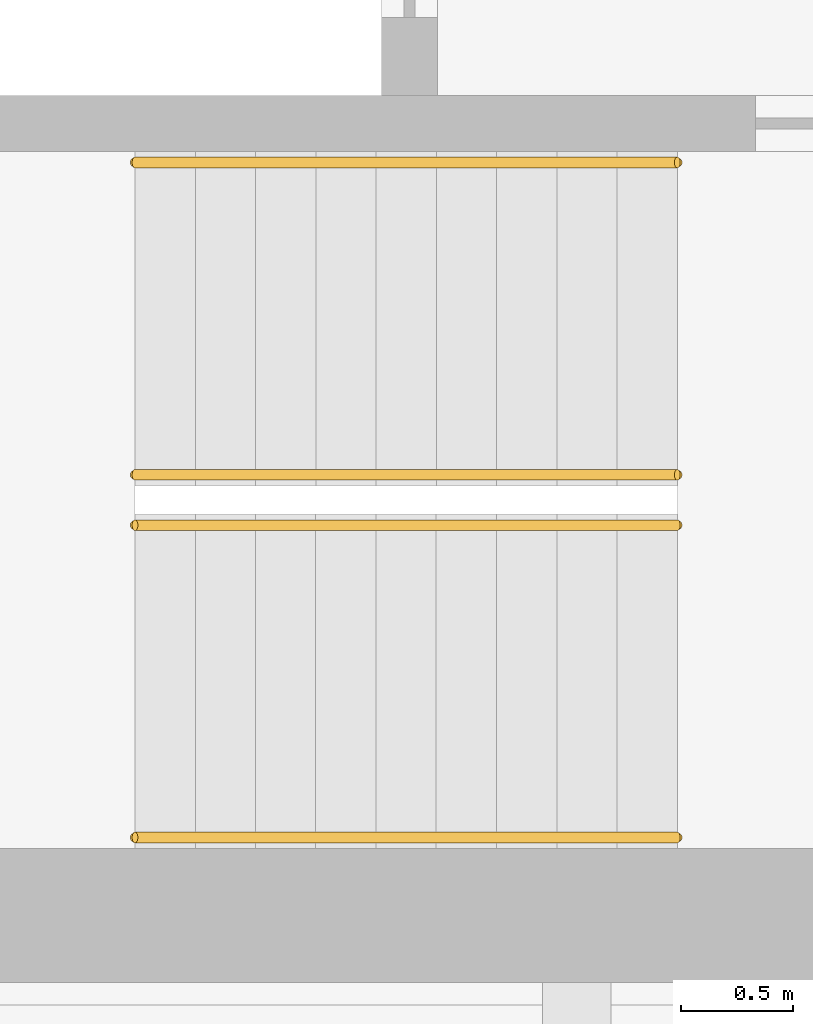
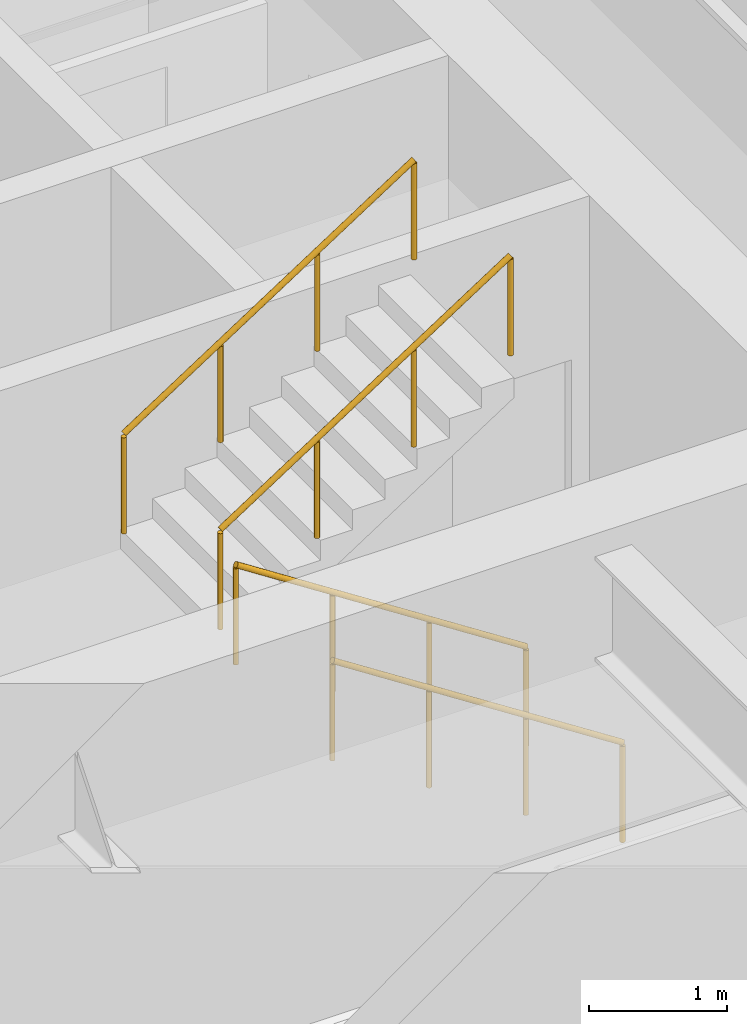
# One storey, part 16 of 20: 4 railings.
"""IFC4 building model written with IfcOpenShell, lengths in metres."""

from ifc_helpers import new_model, si_unit, direction, frame, origin, origin_2d, place, context, subcontext, project, spatial, circle, extrude, material, type_object, element, save


model = new_model("IFC4")

# Units and contexts
model_context = context("Model", 3, precision=1e-05, world=origin(), true_north=direction((0.0, 1.0)))
body_context = subcontext(model_context, "Body", "Model", "MODEL_VIEW")
ifc_project = project(units=[si_unit("LENGTHUNIT", "METRE"), si_unit("AREAUNIT", "SQUARE_METRE"), si_unit("VOLUMEUNIT", "CUBIC_METRE"), si_unit("PLANEANGLEUNIT", "RADIAN"), si_unit("MASSUNIT", "GRAM", prefix="KILO")], contexts=[model_context])

# Site, building, storey
site_placement = place(None, origin())
site = spatial("IfcSite", under=ifc_project, at=site_placement, CompositionType="ELEMENT")
building_placement = place(site_placement, origin())
building = spatial("IfcBuilding", under=site, at=building_placement, Name="Msasa Ring Tower", CompositionType="ELEMENT")
storey_placement = place(building_placement, frame((0.0, 0.0, 61.5)))
storey = spatial("IfcBuildingStorey", under=building, at=storey_placement, Name="L15", CompositionType="ELEMENT", Elevation=61.5)

# Railings
ifc_material = material(Name="Stainless steel", Category="steel")
railing_type = type_object("IfcRailingType", Name="HR1 HANDRAIL 900", PredefinedType="HANDRAIL", material=ifc_material)
for number, where, name in (
    (1, (-10.800048828125, -6.39990234375, 0.175048828125), "Handrail stair SWA L15 1"),
    (2, (-10.800048828125, -5.0, 0.175048828125), "Handrail stair SWA L15 2"),
):
    element("IfcRailing", number, at=place(storey_placement, frame(where)), inside=storey, type_object=railing_type, Name=name, PredefinedType="HANDRAIL", context=body_context, shape_type="SweptSolid", body=[
        extrude(circle(Radius=0.02392578125, at=origin_2d()), frame((0.0, 0.0, 0.8759765625), z_axis=(-0.839153699163, 0.0, 0.543894354798), x_axis=(0.0, -1.0, 0.0)), (0.0, 0.0, 1.0), 2.895751953125),
        extrude(circle(Radius=0.02099609375, at=origin_2d()), origin(), (0.0, 0.0, 1.0), 0.851806640625),
        extrude(circle(Radius=0.02099609375, at=origin_2d()), frame((-0.81005859375, 0.0, 0.52490234375)), (0.0, 0.0, 1.0), 0.851806640625),
        extrude(circle(Radius=0.02099609375, at=origin_2d()), frame((-1.619873046875, 0.0, 1.050048828125)), (0.0, 0.0, 1.0), 0.851806640625),
        extrude(circle(Radius=0.02099609375, at=origin_2d()), frame((-2.429931640625, 0.0, 1.574951171875)), (0.0, 0.0, 1.0), 0.851806640625),
    ])
for number, where, name in (
    (3, (-13.22998046875, -4.77490234375, 1.925048828125), "Handrail stair SWA L15 3"),
    (4, (-13.22998046875, -3.375, 1.925048828125), "Handrail stair SWA L15 4"),
):
    element("IfcRailing", number, at=place(storey_placement, frame(where)), inside=storey, type_object=railing_type, Name=name, PredefinedType="HANDRAIL", context=body_context, shape_type="SweptSolid", body=[
        extrude(circle(Radius=0.02392578125, at=origin_2d()), frame((0.0, 0.0, 0.8759765625), z_axis=(0.839153699163, 0.0, 0.543894354798), x_axis=(0.0, 1.0, 0.0)), (0.0, 0.0, 1.0), 2.895751953125),
        extrude(circle(Radius=0.02099609375, at=origin_2d()), origin(), (0.0, 0.0, 1.0), 0.851806640625),
        extrude(circle(Radius=0.02099609375, at=origin_2d()), frame((0.81005859375, 0.0, 0.52490234375)), (0.0, 0.0, 1.0), 0.851806640625),
        extrude(circle(Radius=0.02099609375, at=origin_2d()), frame((1.619873046875, 0.0, 1.050048828125)), (0.0, 0.0, 1.0), 0.851806640625),
        extrude(circle(Radius=0.02099609375, at=origin_2d()), frame((2.429931640625, 0.0, 1.574951171875)), (0.0, 0.0, 1.0), 0.851806640625),
    ])

save(model, "model.ifc")
